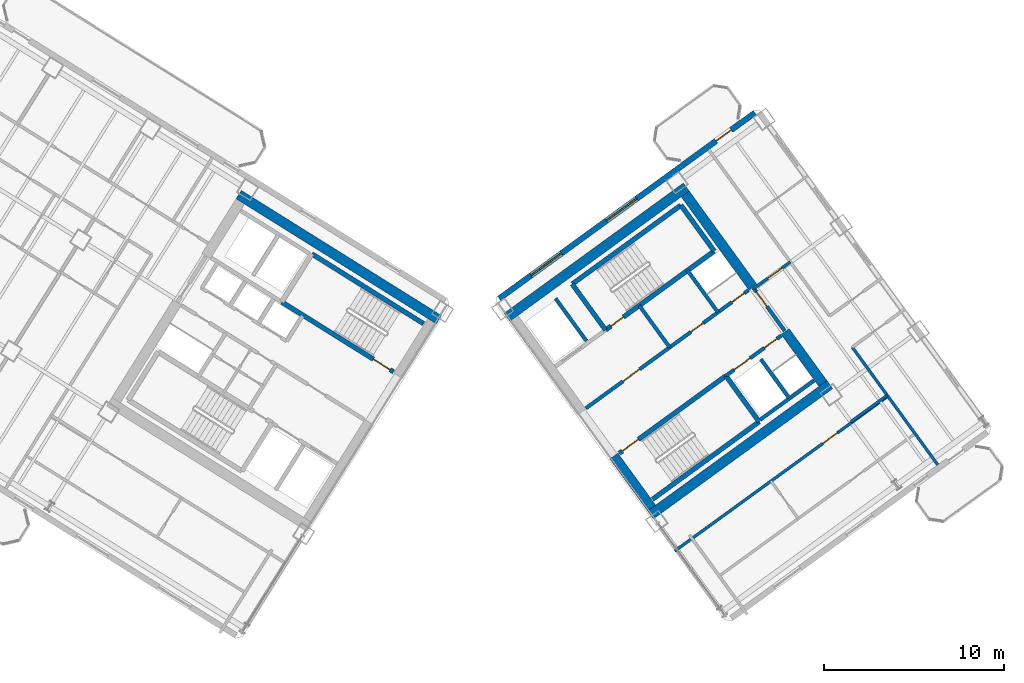
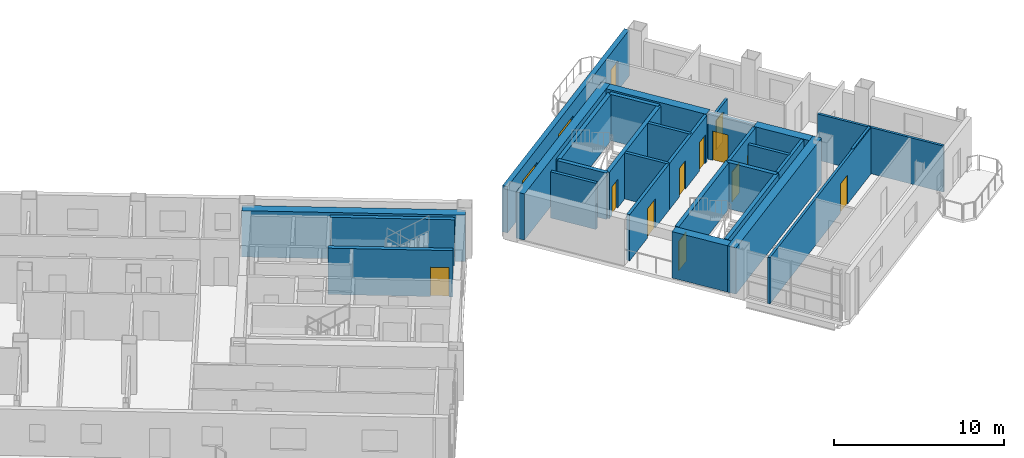
# One storey, part 13 of 18: 29 walls, 12 doors, 2 windows, 14 openings.
"""IFC4 building model written with IfcOpenShell, lengths in metres."""

from ifc_helpers import new_model, si_unit, direction, frame, frame_2d, origin, place, context, subcontext, project, spatial, rectangle, extrude, source, transform, mapped, material, layer, layer_set, type_object, element, fill, save


model = new_model("IFC4")

# Units and contexts
model_context = context("Model", 3, precision=1e-05, world=origin(), true_north=direction((0.0, 1.0)))
body_context = subcontext(model_context, "Body", "Model", "MODEL_VIEW")
ifc_project = project(units=[si_unit("LENGTHUNIT", "METRE"), si_unit("AREAUNIT", "SQUARE_METRE"), si_unit("VOLUMEUNIT", "CUBIC_METRE"), si_unit("PLANEANGLEUNIT", "RADIAN"), si_unit("MASSUNIT", "GRAM", prefix="KILO")], contexts=[model_context])

# Site, building, storey
site_placement = place(None, origin())
site = spatial("IfcSite", under=ifc_project, at=site_placement, CompositionType="ELEMENT")
building_placement = place(site_placement, origin())
building = spatial("IfcBuilding", under=site, at=building_placement, Name="Tlacorven Tower", CompositionType="ELEMENT")
storey_placement = place(building_placement, frame((0.0, 0.0, 132.60009765625)))
storey = spatial("IfcBuildingStorey", under=building, at=storey_placement, Name="L33", CompositionType="ELEMENT", Elevation=132.60009765625)

# Walls
ifc_material_1 = material(Name="Concrete C60/75", Category="concrete")
ifc_layer_1 = layer(ifc_material_1, 0.550048828125)
ifc_layer_set_1 = layer_set([ifc_layer_1], Name="Concrete C60/75")
wall_type_1 = type_object("IfcWallType", Name="WL-COR-550", PredefinedType="SHEAR", material=ifc_layer_set_1)
wall_1_placement = place(storey_placement, frame((40.572998046875, 24.010009765625, 0.0), z_axis=(0.0, 0.0, 1.0), x_axis=(-0.848047359947, 0.529920442413, 0.0)))
element("IfcWall", 1, at=wall_1_placement, inside=storey, type_object=wall_type_1, Name="L33 W core shear wall S1", PredefinedType="SHEAR", context=body_context, shape_type="SweptSolid", body=[
    extrude(rectangle(XDim=13.139892578125, YDim=0.550048828125, at=frame_2d((6.56982421875, 0.0))), origin(), (0.0, 0.0, 1.0), 3.31982421875),
])
for number, where, z_axis, x_axis, name in (
    (2, (52.35888671875, 13.1396484375, 0.0), (0.0, 0.0, 1.0), (0.809014896919, 0.587788139183, 0.0), "L33 E core shear wall S1"),
    (3, (44.364990234375, 24.142333984375, 0.0), (0.0, 0.0, 1.0), (0.809024304885, 0.587775190107, 0.0), "L33 E core shear wall S2"),
):
    element("IfcWall", number, at=place(storey_placement, frame(where, z_axis=z_axis, x_axis=x_axis)), inside=storey, type_object=wall_type_1, Name=name, PredefinedType="SHEAR", context=body_context, shape_type="SweptSolid", body=[
        extrude(rectangle(XDim=12.340087890625, YDim=0.550048828125, at=frame_2d((6.169921875, 0.0))), origin(), (0.0, 0.0, 1.0), 3.31982421875),
    ])
for number, where, z_axis, x_axis, name in (
    (4, (52.419677734375, 13.52392578125, 0.0), (0.0, 0.0, 1.0), (-0.587802113096, 0.809004744015, 0.0), "L33 E core end wall E1.1"),
    (5, (61.9580078125, 20.453857421875, 0.0), (0.0, 0.0, 1.0), (-0.587802113096, 0.809004744015, 0.0), "L33 E core end wall E2.1"),
):
    element("IfcWall", number, at=place(storey_placement, frame(where, z_axis=z_axis, x_axis=x_axis)), inside=storey, type_object=wall_type_1, Name=name, PredefinedType="SHEAR", context=body_context, shape_type="SweptSolid", body=[
        extrude(rectangle(XDim=3.574951171875, YDim=0.550048828125, at=frame_2d((1.78759765625, 0.0))), origin(), (0.0, 0.0, 1.0), 3.31982421875),
    ])
wall_2_placement = place(storey_placement, frame((58.06396484375, 25.8134765625, 0.0), z_axis=(0.0, 0.0, 1.0), x_axis=(-0.587764933797, 0.809031756236, 0.0)))
element("IfcWall", 6, at=wall_2_placement, inside=storey, type_object=wall_type_1, Name="L33 E core end wall E2.2", PredefinedType="SHEAR", context=body_context, shape_type="SweptSolid", body=[
    extrude(rectangle(XDim=6.425048828125, YDim=0.550048828125, at=frame_2d((3.21240234375, 0.0))), origin(), (0.0, 0.0, 1.0), 3.31982421875),
])
ifc_material_2 = material(Name="Gypsum plasterboard acoustic partition", Category="gypsum")
ifc_layer_2 = layer(ifc_material_2, 0.159912109375)
ifc_layer_set_2 = layer_set([ifc_layer_2], Name="Gypsum plasterboard acoustic partition")
wall_type_2 = type_object("IfcWallType", Name="WL-DEM-160", PredefinedType="PARTITIONING", material=ifc_layer_set_2)
wall_3_placement = place(storey_placement, frame((63.5068359375, 18.322021484375, 0.0), z_axis=(0.0, 0.0, 1.0), x_axis=(0.809034604122, 0.587761013791, 0.0)))
element("IfcWall", 7, at=wall_3_placement, inside=storey, type_object=wall_type_2, Name="L33 partition 67", PredefinedType="PARTITIONING", context=body_context, shape_type="SweptSolid", body=[
    extrude(rectangle(XDim=2.510009765625, YDim=0.159912109375, at=frame_2d((1.2548828125, 0.0))), origin(), (0.0, 0.0, 1.0), 3.309814453125),
])

# Wall, opening, door
wall_4_placement = place(storey_placement, frame((58.111083984375, 25.748779296875, 0.0), z_axis=(0.0, 0.0, 1.0), x_axis=(0.809000999347, 0.58780726693, 0.0)))
wall_4 = element("IfcWall", 8, at=wall_4_placement, inside=storey, type_object=wall_type_2, Name="L33 partition 68", PredefinedType="PARTITIONING", context=body_context, shape_type="SweptSolid", body=[
    extrude(rectangle(XDim=2.510009765625, YDim=0.159912109375, at=frame_2d((1.2548828125, 0.0))), origin(), (0.0, 0.0, 1.0), 2.744873046875),
])
opening_1_placement = place(wall_4_placement, frame((0.949951171875, 0.0, 0.0)))
opening_1 = element("IfcOpeningElement", 9, at=opening_1_placement, cuts=wall_4, Name="Opening D11", PredefinedType="OPENING", context=body_context, shape_type="SweptSolid", body=[
    extrude(rectangle(XDim=1.0, YDim=2.10009765625, at=frame_2d((0.5, 1.050048828125))), frame((0.0, 0.08984375, 0.0), z_axis=(0.0, -1.0, 0.0), x_axis=(1.0, 0.0, 0.0)), (0.0, 0.0, 1.0), 0.179931640625),
])
ifc_material_3 = material(Name="Fire-rated steel door assembly", Category="steel")
door_type_1 = type_object("IfcDoorType", Name="DR-FLT-FD60-1000", OperationType="NOTDEFINED", PredefinedType="DOOR", material=ifc_material_3)
shared_shape_1 = source(origin(), body_context, "Body", "SweptSolid", [
    extrude(rectangle(XDim=1.0, YDim=2.10009765625, at=frame_2d((0.5, 1.050048828125))), frame((0.0, 0.02490234375, 0.0), z_axis=(0.0, -1.0, 0.0), x_axis=(1.0, 0.0, 0.0)), (0.0, 0.0, 1.0), 0.050048828125),
])
door_1_placement = place(opening_1_placement, origin())
door_1 = element("IfcDoor", 10, at=door_1_placement, inside=storey, type_object=door_type_1, Name="L33 door 039", OperationType="SINGLE_SWING_LEFT", OverallHeight=2.10009765625, OverallWidth=1.0, PredefinedType="DOOR", context=body_context, shape_type="MappedRepresentation", body=[
    mapped(shared_shape_1, transform((0.0, 0.0, 0.0), scale=1.0)),
])
fill(opening_1, door_1)

# Wall
wall_5_placement = place(storey_placement, frame((68.35302734375, 15.922119140625, 0.0), z_axis=(0.0, 0.0, 1.0), x_axis=(-0.58776839458, 0.809029241952, 0.0)))
element("IfcWall", 11, at=wall_5_placement, inside=storey, type_object=wall_type_2, Name="L33 partition 69", PredefinedType="PARTITIONING", context=body_context, shape_type="SweptSolid", body=[
    extrude(rectangle(XDim=8.10009765625, YDim=0.159912109375, at=frame_2d((4.050048828125, 0.0))), origin(), (0.0, 0.0, 1.0), 3.309814453125),
])

# Wall, opening, door
wall_6_placement = place(storey_placement, frame((53.70458984375, 11.1259765625, 0.0), z_axis=(0.0, 0.0, 1.0), x_axis=(0.809014504436, 0.587788679384, 0.0)))
wall_6 = element("IfcWall", 12, at=wall_6_placement, inside=storey, type_object=wall_type_2, Name="L33 partition 75", PredefinedType="PARTITIONING", context=body_context, shape_type="SweptSolid", body=[
    extrude(rectangle(XDim=14.669921875, YDim=0.159912109375, at=frame_2d((7.3349609375, 0.0))), origin(), (0.0, 0.0, 1.0), 3.309814453125),
])
opening_2_placement = place(wall_6_placement, frame((10.199951171875, 0.0, 0.0)))
opening_2 = element("IfcOpeningElement", 13, at=opening_2_placement, cuts=wall_6, Name="Opening D11", PredefinedType="OPENING", context=body_context, shape_type="SweptSolid", body=[
    extrude(rectangle(XDim=1.0, YDim=2.10009765625, at=frame_2d((0.5, 1.050048828125))), frame((0.0, 0.08984375, 0.0), z_axis=(0.0, -1.0, 0.0), x_axis=(1.0, 0.0, 0.0)), (0.0, 0.0, 1.0), 0.179931640625),
])
door_2_placement = place(opening_2_placement, origin())
door_2 = element("IfcDoor", 14, at=door_2_placement, inside=storey, type_object=door_type_1, Name="L33 door 044", OperationType="SINGLE_SWING_RIGHT", OverallHeight=2.10009765625, OverallWidth=1.0, PredefinedType="DOOR", context=body_context, shape_type="MappedRepresentation", body=[
    mapped(shared_shape_1, transform((0.0, 0.0, 0.0), scale=1.0)),
])
fill(opening_2, door_2)

# Wall, openings, door, windows
ifc_material_4 = material(Name="Precast concrete C45/55", Category="concrete")
ifc_layer_3 = layer(ifc_material_4, 0.320068359375)
ifc_layer_set_3 = layer_set([ifc_layer_3], Name="Precast concrete C45/55")
wall_type_3 = type_object("IfcWallType", Name="WL-EXT-320", PredefinedType="STANDARD", material=ifc_layer_set_3)
wall_7_placement = place(storey_placement, frame((43.93798828125, 25.191650390625, 0.0), z_axis=(0.0, 0.0, 1.0), x_axis=(0.809016324578, 0.587786174187, 0.0)))
wall_7 = element("IfcWall", 15, at=wall_7_placement, inside=storey, type_object=wall_type_3, Name="L33 Masonry-Frame Recessed Facade Wall 4", PredefinedType="STANDARD", context=body_context, shape_type="SweptSolid", body=[
    extrude(rectangle(XDim=17.58740234375, YDim=0.320068359375, at=frame_2d((8.793701171875, 0.0))), origin(), (0.0, 0.0, 1.0), 3.31982421875),
])
opening_3_placement = place(wall_7_placement, frame((14.913818359375, 0.0, 0.0)))
opening_3 = element("IfcOpeningElement", 16, at=opening_3_placement, cuts=wall_7, Name="Opening D06", PredefinedType="OPENING", context=body_context, shape_type="SweptSolid", body=[
    extrude(rectangle(XDim=1.050048828125, YDim=2.14990234375, at=frame_2d((0.52490234375, 1.074951171875))), frame((0.0, 0.169921875, 0.0), z_axis=(0.0, -1.0, 0.0), x_axis=(1.0, 0.0, 0.0)), (0.0, 0.0, 1.0), 0.340087890625),
])
opening_4_placement = place(wall_7_placement, frame((2.181884765625, 0.0, 0.800048828125)))
opening_4 = element("IfcOpeningElement", 17, at=opening_4_placement, cuts=wall_7, Name="Opening WN04", PredefinedType="OPENING", context=body_context, shape_type="SweptSolid", body=[
    extrude(rectangle(XDim=2.10009765625, YDim=1.550048828125, at=frame_2d((1.050048828125, 0.77490234375))), frame((0.0, 0.169921875, 0.0), z_axis=(0.0, -1.0, 0.0), x_axis=(1.0, 0.0, 0.0)), (0.0, 0.0, 1.0), 0.340087890625),
])
opening_5_placement = place(wall_7_placement, frame((7.3564453125, 0.0, 0.800048828125)))
opening_5 = element("IfcOpeningElement", 18, at=opening_5_placement, cuts=wall_7, Name="Opening WN04", PredefinedType="OPENING", context=body_context, shape_type="SweptSolid", body=[
    extrude(rectangle(XDim=2.10009765625, YDim=1.550048828125, at=frame_2d((1.050048828125, 0.77490234375))), frame((0.0, 0.169921875, 0.0), z_axis=(0.0, -1.0, 0.0), x_axis=(1.0, 0.0, 0.0)), (0.0, 0.0, 1.0), 0.340087890625),
])
ifc_material_5 = material(Name="Powder-coated aluminium and timber door", Category="wood")
door_type_2 = type_object("IfcDoorType", Name="DR-EXT-BALC-1050", OperationType="NOTDEFINED", PredefinedType="DOOR", material=ifc_material_5)
shared_shape_2 = source(origin(), body_context, "Body", "SweptSolid", [
    extrude(rectangle(XDim=1.050048828125, YDim=2.14990234375, at=frame_2d((0.52490234375, 1.074951171875))), frame((0.0, 0.02490234375, 0.0), z_axis=(0.0, -1.0, 0.0), x_axis=(1.0, 0.0, 0.0)), (0.0, 0.0, 1.0), 0.050048828125),
])
door_3_placement = place(opening_3_placement, origin())
door_3 = element("IfcDoor", 19, at=door_3_placement, inside=storey, type_object=door_type_2, Name="L33 Outdoor Access Door BAL-L33-E-IN", OperationType="SINGLE_SWING_RIGHT", OverallHeight=2.14990234375, OverallWidth=1.050048828125, PredefinedType="DOOR", context=body_context, shape_type="MappedRepresentation", body=[
    mapped(shared_shape_2, transform((0.0, 0.0, 0.0), scale=1.0)),
])
fill(opening_3, door_3)
ifc_material_6 = material(Name="Dark solar low-E double glazing in anodised aluminium frame", Category="aluminium")
window_type = type_object("IfcWindowType", Name="WN-APT-2100X1750", PartitioningType="SINGLE_PANEL", PredefinedType="WINDOW", material=ifc_material_6)
shared_shape_3 = source(origin(), body_context, "Body", "SweptSolid", [
    extrude(rectangle(XDim=2.10009765625, YDim=1.550048828125, at=frame_2d((1.050048828125, 0.77490234375))), frame((0.0, 0.030029296875, 0.0), z_axis=(0.0, -1.0, 0.0), x_axis=(1.0, 0.0, 0.0)), (0.0, 0.0, 1.0), 0.06005859375),
])
window_1_placement = place(opening_4_placement, origin())
window_1 = element("IfcWindow", 20, at=window_1_placement, inside=storey, type_object=window_type, Name="L33 Recessed Masonry-Frame Window L33-04.1", OverallHeight=1.550048828125, OverallWidth=2.10009765625, PartitioningType="SINGLE_PANEL", PredefinedType="WINDOW", context=body_context, shape_type="MappedRepresentation", body=[
    mapped(shared_shape_3, transform((0.0, 0.0, 0.0), scale=1.0)),
])
fill(opening_4, window_1)
window_2_placement = place(opening_5_placement, origin())
window_2 = element("IfcWindow", 21, at=window_2_placement, inside=storey, type_object=window_type, Name="L33 Recessed Masonry-Frame Window L33-04.2", OverallHeight=1.550048828125, OverallWidth=2.10009765625, PartitioningType="SINGLE_PANEL", PredefinedType="WINDOW", context=body_context, shape_type="MappedRepresentation", body=[
    mapped(shared_shape_3, transform((0.0, 0.0, 0.0), scale=1.0)),
])
fill(opening_5, window_2)

# Wall, opening, door
ifc_material_7 = material(Name="Concrete C40/50", Category="concrete")
ifc_layer_4 = layer(ifc_material_7, 0.199951171875)
ifc_layer_set_4 = layer_set([ifc_layer_4], Name="Concrete C40/50")
wall_type_4 = type_object("IfcWallType", Name="WL-SHF-200", PredefinedType="STANDARD", material=ifc_layer_set_4)
wall_8_placement = place(storey_placement, frame((48.75830078125, 19.0771484375, 0.0), z_axis=(0.0, 0.0, 1.0), x_axis=(0.809005065155, 0.587801671104, 0.0)))
wall_8 = element("IfcWall", 22, at=wall_8_placement, inside=storey, type_object=wall_type_4, Name="L33 Core E Smoke Lobby Wall", PredefinedType="STANDARD", context=body_context, shape_type="SweptSolid", body=[
    extrude(rectangle(XDim=5.767822265625, YDim=0.199951171875, at=frame_2d((2.8837890625, 0.0))), origin(), (0.0, 0.0, 1.0), 3.309814453125),
])
opening_6_placement = place(wall_8_placement, frame((2.548095703125, 0.0, 0.0)))
opening_6 = element("IfcOpeningElement", 23, at=opening_6_placement, cuts=wall_8, Name="Opening D09", PredefinedType="OPENING", context=body_context, shape_type="SweptSolid", body=[
    extrude(rectangle(XDim=1.14990234375, YDim=2.10009765625, at=frame_2d((0.574951171875, 1.050048828125))), frame((0.0, 0.10986328125, 0.0), z_axis=(0.0, -1.0, 0.0), x_axis=(1.0, 0.0, 0.0)), (0.0, 0.0, 1.0), 0.219970703125),
])
door_type_3 = type_object("IfcDoorType", Name="DR-FFL-FD60-1150", OperationType="NOTDEFINED", PredefinedType="DOOR", material=ifc_material_3)
shared_shape_4 = source(origin(), body_context, "Body", "SweptSolid", [
    extrude(rectangle(XDim=1.14990234375, YDim=2.10009765625, at=frame_2d((0.574951171875, 1.050048828125))), frame((0.0, 0.02490234375, 0.0), z_axis=(0.0, -1.0, 0.0), x_axis=(1.0, 0.0, 0.0)), (0.0, 0.0, 1.0), 0.050048828125),
])
door_4_placement = place(opening_6_placement, origin())
door_4 = element("IfcDoor", 24, at=door_4_placement, inside=storey, type_object=door_type_3, Name="L33 Firefighting Lobby E Fire Door", OperationType="SINGLE_SWING_LEFT", OverallHeight=2.10009765625, OverallWidth=1.14990234375, PredefinedType="DOOR", context=body_context, shape_type="MappedRepresentation", body=[
    mapped(shared_shape_4, transform((0.0, 0.0, 0.0), scale=1.0)),
])
fill(opening_6, door_4)

# Wall, openings, doors
wall_9_placement = place(storey_placement, frame((56.552978515625, 20.884033203125, 0.0), z_axis=(0.0, 0.0, 1.0), x_axis=(0.809023564264, 0.58777620951, 0.0)))
wall_9 = element("IfcWall", 25, at=wall_9_placement, inside=storey, type_object=wall_type_4, Name="L33 Core E South Lift Shaft Wall", PredefinedType="STANDARD", context=body_context, shape_type="SweptSolid", body=[
    extrude(rectangle(XDim=3.818115234375, YDim=0.199951171875, at=frame_2d((1.9091796875, 0.0))), origin(), (0.0, 0.0, 1.0), 3.309814453125),
])
opening_7_placement = place(wall_9_placement, frame((0.570068359375, 0.0, 0.0)))
opening_7 = element("IfcOpeningElement", 26, at=opening_7_placement, cuts=wall_9, Name="Opening LD01", PredefinedType="OPENING", context=body_context, shape_type="SweptSolid", body=[
    extrude(rectangle(XDim=1.10009765625, YDim=2.14990234375, at=frame_2d((0.550048828125, 1.074951171875))), frame((0.0, 0.10986328125, 0.0), z_axis=(0.0, -1.0, 0.0), x_axis=(1.0, 0.0, 0.0)), (0.0, 0.0, 1.0), 0.219970703125),
])
opening_8_placement = place(wall_9_placement, frame((2.64990234375, 0.0, 0.0)))
opening_8 = element("IfcOpeningElement", 27, at=opening_8_placement, cuts=wall_9, Name="Opening D19", PredefinedType="OPENING", context=body_context, shape_type="SweptSolid", body=[
    extrude(rectangle(XDim=0.860107421875, YDim=2.050048828125, at=frame_2d((0.43017578125, 1.02490234375))), frame((0.0, 0.10986328125, 0.0), z_axis=(0.0, -1.0, 0.0), x_axis=(1.0, 0.0, 0.0)), (0.0, 0.0, 1.0), 0.219970703125),
])
door_type_4 = type_object("IfcDoorType", Name="DR-RSR-FD60-0860", OperationType="NOTDEFINED", PredefinedType="DOOR", material=ifc_material_3)
shared_shape_5 = source(origin(), body_context, "Body", "SweptSolid", [
    extrude(rectangle(XDim=0.860107421875, YDim=2.050048828125, at=frame_2d((0.43017578125, 1.02490234375))), frame((0.0, 0.02490234375, 0.0), z_axis=(0.0, -1.0, 0.0), x_axis=(1.0, 0.0, 0.0)), (0.0, 0.0, 1.0), 0.050048828125),
])
door_5_placement = place(opening_8_placement, origin())
door_5 = element("IfcDoor", 28, at=door_5_placement, inside=storey, type_object=door_type_4, Name="L33 Smoke Extract Riser Access Door", OperationType="SINGLE_SWING_RIGHT", OverallHeight=2.050048828125, OverallWidth=0.860107421875, PredefinedType="DOOR", context=body_context, shape_type="MappedRepresentation", body=[
    mapped(shared_shape_5, transform((0.0, 0.0, 0.0), scale=1.0)),
])
fill(opening_8, door_5)
door_type_5 = type_object("IfcDoorType", Name="DR-LFT-SLID-1100", OperationType="DOUBLE_DOOR_SLIDING", PredefinedType="DOOR", material=ifc_material_3)
shared_shape_6 = source(origin(), body_context, "Body", "SweptSolid", [
    extrude(rectangle(XDim=1.10009765625, YDim=2.14990234375, at=frame_2d((0.550048828125, 1.074951171875))), frame((0.0, 0.02490234375, 0.0), z_axis=(0.0, -1.0, 0.0), x_axis=(1.0, 0.0, 0.0)), (0.0, 0.0, 1.0), 0.050048828125),
])
door_6_placement = place(opening_7_placement, origin())
door_6 = element("IfcDoor", 29, at=door_6_placement, inside=storey, type_object=door_type_5, Name="L33 Lift PL-M4 Sliding Landing Door", OperationType="DOUBLE_DOOR_SLIDING", OverallHeight=2.14990234375, OverallWidth=1.10009765625, PredefinedType="DOOR", context=body_context, shape_type="MappedRepresentation", body=[
    mapped(shared_shape_6, transform((0.0, 0.0, 0.0), scale=1.0)),
])
fill(opening_7, door_6)

# Walls
wall_10_placement = place(storey_placement, frame((48.78564453125, 22.830078125, 0.0), z_axis=(0.0, 0.0, 1.0), x_axis=(-0.587783856777, 0.809018008275, 0.0)))
element("IfcWall", 30, at=wall_10_placement, inside=storey, type_object=wall_type_4, Name="L33 partition 36", PredefinedType="STANDARD", context=body_context, shape_type="SweptSolid", body=[
    extrude(rectangle(XDim=2.919921875, YDim=0.199951171875, at=frame_2d((1.4599609375, 0.0))), origin(), (0.0, 0.0, 1.0), 3.309814453125),
])
wall_11_placement = place(storey_placement, frame((60.066650390625, 19.654541015625, 0.0), z_axis=(0.0, 0.0, 1.0), x_axis=(-0.587800520745, 0.809005900975, 0.0)))
element("IfcWall", 31, at=wall_11_placement, inside=storey, type_object=wall_type_4, Name="L33 partition 37", PredefinedType="STANDARD", context=body_context, shape_type="SweptSolid", body=[
    extrude(rectangle(XDim=2.659912109375, YDim=0.199951171875, at=frame_2d((1.330078125, 0.0))), origin(), (0.0, 0.0, 1.0), 3.309814453125),
])
wall_12_placement = place(storey_placement, frame((58.47216796875, 18.446533203125, 0.0), z_axis=(0.0, 0.0, 1.0), x_axis=(0.809018631237, 0.587782999339, 0.0)))
element("IfcWall", 32, at=wall_12_placement, inside=storey, type_object=wall_type_4, Name="L33 partition 39", PredefinedType="STANDARD", context=body_context, shape_type="SweptSolid", body=[
    extrude(rectangle(XDim=3.697998046875, YDim=0.199951171875, at=frame_2d((1.84912109375, 0.0))), origin(), (0.0, 0.0, 1.0), 3.309814453125),
])
wall_13_placement = place(storey_placement, frame((53.424560546875, 22.467529296875, 0.0), z_axis=(0.0, 0.0, 1.0), x_axis=(-0.5877230039, 0.809062216821, 0.0)))
element("IfcWall", 33, at=wall_13_placement, inside=storey, type_object=wall_type_4, Name="L33 partition 41", PredefinedType="STANDARD", context=body_context, shape_type="SweptSolid", body=[
    extrude(rectangle(XDim=2.8798828125, YDim=0.199951171875, at=frame_2d((1.43994140625, 0.0))), origin(), (0.0, 0.0, 1.0), 3.309814453125),
])
wall_14_placement = place(storey_placement, frame((56.110595703125, 24.4189453125, 0.0), z_axis=(0.0, 0.0, 1.0), x_axis=(-0.58777848983, 0.809021907548, 0.0)))
element("IfcWall", 34, at=wall_14_placement, inside=storey, type_object=wall_type_4, Name="L33 partition 42", PredefinedType="STANDARD", context=body_context, shape_type="SweptSolid", body=[
    extrude(rectangle(XDim=2.880126953125, YDim=0.199951171875, at=frame_2d((1.43994140625, 0.0))), origin(), (0.0, 0.0, 1.0), 3.309814453125),
])

# Wall, openings, doors
wall_15_placement = place(storey_placement, frame((53.424560546875, 22.467529296875, 0.0), z_axis=(0.0, 0.0, 1.0), x_axis=(0.809024377198, 0.587775090574, 0.0)))
wall_15 = element("IfcWall", 35, at=wall_15_placement, inside=storey, type_object=wall_type_4, Name="L33 Core E North Service Wall", PredefinedType="STANDARD", context=body_context, shape_type="SweptSolid", body=[
    extrude(rectangle(XDim=5.41796875, YDim=0.199951171875, at=frame_2d((2.708984375, 0.0))), origin(), (0.0, 0.0, 1.0), 3.309814453125),
])
opening_9_placement = place(wall_15_placement, frame((4.280029296875, 0.0, 0.0)))
opening_9 = element("IfcOpeningElement", 36, at=opening_9_placement, cuts=wall_15, Name="Opening D19", PredefinedType="OPENING", context=body_context, shape_type="SweptSolid", body=[
    extrude(rectangle(XDim=0.860107421875, YDim=2.050048828125, at=frame_2d((0.43017578125, 1.02490234375))), frame((0.0, 0.10986328125, 0.0), z_axis=(0.0, -1.0, 0.0), x_axis=(1.0, 0.0, 0.0)), (0.0, 0.0, 1.0), 0.219970703125),
])
opening_10_placement = place(wall_15_placement, frame((1.449951171875, 0.0, 0.0)))
opening_10 = element("IfcOpeningElement", 37, at=opening_10_placement, cuts=wall_15, Name="Opening D19", PredefinedType="OPENING", context=body_context, shape_type="SweptSolid", body=[
    extrude(rectangle(XDim=0.860107421875, YDim=2.050048828125, at=frame_2d((0.43017578125, 1.02490234375))), frame((0.0, 0.10986328125, 0.0), z_axis=(0.0, -1.0, 0.0), x_axis=(1.0, 0.0, 0.0)), (0.0, 0.0, 1.0), 0.219970703125),
])
door_7_placement = place(opening_9_placement, frame((0.860107421875, 0.0, 0.0), z_axis=(0.0, 0.0, 1.0), x_axis=(-1.0, 0.0, 0.0)))
door_7 = element("IfcDoor", 38, at=door_7_placement, inside=storey, type_object=door_type_4, Name="L33 Electrical Riser Access Door E", OperationType="SINGLE_SWING_LEFT", OverallHeight=2.050048828125, OverallWidth=0.860107421875, PredefinedType="DOOR", context=body_context, shape_type="MappedRepresentation", body=[
    mapped(shared_shape_5, transform((0.0, 0.0, 0.0), scale=1.0)),
])
fill(opening_9, door_7)
door_8_placement = place(opening_10_placement, frame((0.860107421875, 0.0, 0.0), z_axis=(0.0, 0.0, 1.0), x_axis=(-1.0, 0.0, 0.0)))
door_8 = element("IfcDoor", 39, at=door_8_placement, inside=storey, type_object=door_type_4, Name="L33 Housekeeping Linen Access Door E", OperationType="SINGLE_SWING_RIGHT", OverallHeight=2.050048828125, OverallWidth=0.860107421875, PredefinedType="DOOR", context=body_context, shape_type="MappedRepresentation", body=[
    mapped(shared_shape_5, transform((0.0, 0.0, 0.0), scale=1.0)),
])
fill(opening_10, door_8)

# Wall, opening, door
wall_16_placement = place(storey_placement, frame((59.827392578125, 23.386474609375, 0.0), z_axis=(0.0, 0.0, 1.0), x_axis=(-0.587803840107, 0.809003489211, 0.0)))
wall_16 = element("IfcWall", 40, at=wall_16_placement, inside=storey, type_object=wall_type_4, Name="L33 partition 66", PredefinedType="STANDARD", context=body_context, shape_type="SweptSolid", body=[
    extrude(rectangle(XDim=2.960205078125, YDim=0.199951171875, at=frame_2d((1.47998046875, 0.0))), origin(), (0.0, 0.0, 1.0), 3.309814453125),
])
opening_11_placement = place(wall_16_placement, frame((1.679931640625, 0.0, 0.0)))
opening_11 = element("IfcOpeningElement", 41, at=opening_11_placement, cuts=wall_16, Name="Opening D11", PredefinedType="OPENING", context=body_context, shape_type="SweptSolid", body=[
    extrude(rectangle(XDim=1.0, YDim=2.10009765625, at=frame_2d((0.5, 1.050048828125))), frame((0.0, 0.10986328125, 0.0), z_axis=(0.0, -1.0, 0.0), x_axis=(1.0, 0.0, 0.0)), (0.0, 0.0, 1.0), 0.219970703125),
])
door_9_placement = place(opening_11_placement, origin())
door_9 = element("IfcDoor", 42, at=door_9_placement, inside=storey, type_object=door_type_1, Name="L33 door 040", OperationType="SINGLE_SWING_RIGHT", OverallHeight=2.10009765625, OverallWidth=1.0, PredefinedType="DOOR", context=body_context, shape_type="MappedRepresentation", body=[
    mapped(shared_shape_1, transform((0.0, 0.0, 0.0), scale=1.0)),
])
fill(opening_11, door_9)

# Wall
ifc_material_8 = material(Name="Concrete C50/60", Category="concrete")
ifc_layer_5 = layer(ifc_material_8, 0.260009765625)
ifc_layer_set_5 = layer_set([ifc_layer_5], Name="Concrete C50/60")
wall_type_5 = type_object("IfcWallType", Name="WL-STW-260", PredefinedType="SHEAR", material=ifc_layer_set_5)
wall_17_placement = place(storey_placement, frame((39.720947265625, 23.787841796875, 0.0), z_axis=(0.0, 0.0, 1.0), x_axis=(-0.848054434086, 0.529909121291, 0.0)))
element("IfcWall", 43, at=wall_17_placement, inside=storey, type_object=wall_type_5, Name="L33 Stair W2 Far Shear Wall", PredefinedType="SHEAR", context=body_context, shape_type="SweptSolid", body=[
    extrude(rectangle(XDim=7.330078125, YDim=0.260009765625, at=frame_2d((3.6650390625, 0.0))), origin(), (0.0, 0.0, 1.0), 3.31982421875),
])

# Wall, opening, door
wall_18_placement = place(storey_placement, frame((38.04638671875, 21.10791015625, 0.0), z_axis=(0.0, 0.0, 1.0), x_axis=(-0.848054434086, 0.529909121291, 0.0)))
wall_18 = element("IfcWall", 44, at=wall_18_placement, inside=storey, type_object=wall_type_5, Name="L33 Stair W2 Lobby Shear Wall", PredefinedType="SHEAR", context=body_context, shape_type="SweptSolid", body=[
    extrude(rectangle(XDim=7.330078125, YDim=0.260009765625, at=frame_2d((3.6650390625, 0.0))), origin(), (0.0, 0.0, 1.0), 3.31982421875),
])
opening_12_placement = place(wall_18_placement, frame((0.219970703125, 0.0, 0.0)))
opening_12 = element("IfcOpeningElement", 45, at=opening_12_placement, cuts=wall_18, Name="Opening D07", PredefinedType="OPENING", context=body_context, shape_type="SweptSolid", body=[
    extrude(rectangle(XDim=1.10009765625, YDim=2.10009765625, at=frame_2d((0.550048828125, 1.050048828125))), frame((0.0, 0.14013671875, 0.0), z_axis=(0.0, -1.0, 0.0), x_axis=(1.0, 0.0, 0.0)), (0.0, 0.0, 1.0), 0.280029296875),
])
door_type_6 = type_object("IfcDoorType", Name="DR-STR-FD90-1100", OperationType="NOTDEFINED", PredefinedType="DOOR", material=ifc_material_3)
shared_shape_7 = source(origin(), body_context, "Body", "SweptSolid", [
    extrude(rectangle(XDim=1.10009765625, YDim=2.10009765625, at=frame_2d((0.550048828125, 1.050048828125))), frame((0.0, 0.02490234375, 0.0), z_axis=(0.0, -1.0, 0.0), x_axis=(1.0, 0.0, 0.0)), (0.0, 0.0, 1.0), 0.050048828125),
])
door_10_placement = place(opening_12_placement, origin())
door_10 = element("IfcDoor", 46, at=door_10_placement, inside=storey, type_object=door_type_6, Name="L33 Exit Stair W2 Fire Door", OperationType="SINGLE_SWING_RIGHT", OverallHeight=2.10009765625, OverallWidth=1.10009765625, PredefinedType="DOOR", context=body_context, shape_type="MappedRepresentation", body=[
    mapped(shared_shape_7, transform((0.0, 0.0, 0.0), scale=1.0)),
])
fill(opening_12, door_10)

# Wall
wall_19_placement = place(storey_placement, frame((48.005615234375, 25.996337890625, 0.0), z_axis=(0.0, 0.0, 1.0), x_axis=(0.80901903764, 0.587782439969, 0.0)))
element("IfcWall", 47, at=wall_19_placement, inside=storey, type_object=wall_type_5, Name="L33 Stair E1 Far Shear Wall", PredefinedType="SHEAR", context=body_context, shape_type="SweptSolid", body=[
    extrude(rectangle(XDim=7.4599609375, YDim=0.260009765625, at=frame_2d((3.72998046875, 0.0))), origin(), (0.0, 0.0, 1.0), 3.31982421875),
])

# Wall, opening, door
wall_20_placement = place(storey_placement, frame((49.863037109375, 23.439697265625, 0.0), z_axis=(0.0, 0.0, 1.0), x_axis=(0.809003474932, 0.587803859759, 0.0)))
wall_20 = element("IfcWall", 48, at=wall_20_placement, inside=storey, type_object=wall_type_5, Name="L33 Stair E1 Lobby Shear Wall", PredefinedType="SHEAR", context=body_context, shape_type="SweptSolid", body=[
    extrude(rectangle(XDim=7.4599609375, YDim=0.260009765625, at=frame_2d((3.72998046875, 0.0))), origin(), (0.0, 0.0, 1.0), 3.31982421875),
])
opening_13_placement = place(wall_20_placement, frame((0.360107421875, 0.0, 0.0)))
opening_13 = element("IfcOpeningElement", 49, at=opening_13_placement, cuts=wall_20, Name="Opening D19", PredefinedType="OPENING", context=body_context, shape_type="SweptSolid", body=[
    extrude(rectangle(XDim=0.860107421875, YDim=2.050048828125, at=frame_2d((0.43017578125, 1.02490234375))), frame((0.0, 0.14013671875, 0.0), z_axis=(0.0, -1.0, 0.0), x_axis=(1.0, 0.0, 0.0)), (0.0, 0.0, 1.0), 0.280029296875),
])
door_11_placement = place(opening_13_placement, frame((0.860107421875, 0.0, 0.0), z_axis=(0.0, 0.0, 1.0), x_axis=(-1.0, 0.0, 0.0)))
door_11 = element("IfcDoor", 50, at=door_11_placement, inside=storey, type_object=door_type_4, Name="L33 Exit Stair E1 Fire Door", OperationType="SINGLE_SWING_LEFT", OverallHeight=2.050048828125, OverallWidth=0.860107421875, PredefinedType="DOOR", context=body_context, shape_type="MappedRepresentation", body=[
    mapped(shared_shape_5, transform((0.0, 0.0, 0.0), scale=1.0)),
])
fill(opening_13, door_11)

# Walls
wall_21_placement = place(storey_placement, frame((49.85498046875, 23.433837890625, 0.0), z_axis=(0.0, 0.0, 1.0), x_axis=(-0.58776738483, 0.809029975545, 0.0)))
element("IfcWall", 51, at=wall_21_placement, inside=storey, type_object=wall_type_5, Name="L33 Stair E1 West Shear Wall", PredefinedType="SHEAR", context=body_context, shape_type="SweptSolid", body=[
    extrude(rectangle(XDim=3.16015625, YDim=0.260009765625, at=frame_2d((1.580078125, 0.0))), origin(), (0.0, 0.0, 1.0), 3.31982421875),
])
wall_22_placement = place(storey_placement, frame((55.906494140625, 27.83056640625, 0.0), z_axis=(0.0, 0.0, 1.0), x_axis=(-0.587804123638, 0.809003283204, 0.0)))
element("IfcWall", 52, at=wall_22_placement, inside=storey, type_object=wall_type_5, Name="L33 Stair E1 East Shear Wall", PredefinedType="SHEAR", context=body_context, shape_type="SweptSolid", body=[
    extrude(rectangle(XDim=3.159912109375, YDim=0.260009765625, at=frame_2d((1.580078125, 0.0))), origin(), (0.0, 0.0, 1.0), 3.31982421875),
])
wall_23_placement = place(storey_placement, frame((52.47216796875, 14.01318359375, 0.0), z_axis=(0.0, 0.0, 1.0), x_axis=(0.809028366311, 0.587769599847, 0.0)))
element("IfcWall", 53, at=wall_23_placement, inside=storey, type_object=wall_type_5, Name="L33 Stair E2 Far Shear Wall", PredefinedType="SHEAR", context=body_context, shape_type="SweptSolid", body=[
    extrude(rectangle(XDim=7.330078125, YDim=0.260009765625, at=frame_2d((3.6650390625, 0.0))), origin(), (0.0, 0.0, 1.0), 3.31982421875),
])

# Wall, opening, door
wall_24_placement = place(storey_placement, frame((50.61474609375, 16.569580078125, 0.0), z_axis=(0.0, 0.0, 1.0), x_axis=(0.809028366311, 0.587769599847, 0.0)))
wall_24 = element("IfcWall", 54, at=wall_24_placement, inside=storey, type_object=wall_type_5, Name="L33 Stair E2 Lobby Shear Wall", PredefinedType="SHEAR", context=body_context, shape_type="SweptSolid", body=[
    extrude(rectangle(XDim=7.330078125, YDim=0.260009765625, at=frame_2d((3.6650390625, 0.0))), origin(), (0.0, 0.0, 1.0), 3.31982421875),
])
opening_14_placement = place(wall_24_placement, frame((0.219970703125, 0.0, 0.0)))
opening_14 = element("IfcOpeningElement", 55, at=opening_14_placement, cuts=wall_24, Name="Opening D07", PredefinedType="OPENING", context=body_context, shape_type="SweptSolid", body=[
    extrude(rectangle(XDim=1.10009765625, YDim=2.10009765625, at=frame_2d((0.550048828125, 1.050048828125))), frame((0.0, 0.14013671875, 0.0), z_axis=(0.0, -1.0, 0.0), x_axis=(1.0, 0.0, 0.0)), (0.0, 0.0, 1.0), 0.280029296875),
])
door_12_placement = place(opening_14_placement, origin())
door_12 = element("IfcDoor", 56, at=door_12_placement, inside=storey, type_object=door_type_6, Name="L33 Exit Stair E2 Fire Door", OperationType="SINGLE_SWING_RIGHT", OverallHeight=2.10009765625, OverallWidth=1.10009765625, PredefinedType="DOOR", context=body_context, shape_type="MappedRepresentation", body=[
    mapped(shared_shape_7, transform((0.0, 0.0, 0.0), scale=1.0)),
])
fill(opening_14, door_12)

# Wall
wall_25_placement = place(storey_placement, frame((58.410400390625, 18.327392578125, 0.0), z_axis=(0.0, 0.0, 1.0), x_axis=(-0.58776738483, 0.809029975545, 0.0)))
element("IfcWall", 57, at=wall_25_placement, inside=storey, type_object=wall_type_5, Name="L33 Stair E2 East Shear Wall", PredefinedType="SHEAR", context=body_context, shape_type="SweptSolid", body=[
    extrude(rectangle(XDim=3.16015625, YDim=0.260009765625, at=frame_2d((1.580078125, 0.0))), origin(), (0.0, 0.0, 1.0), 3.31982421875),
])

save(model, "model.ifc")
